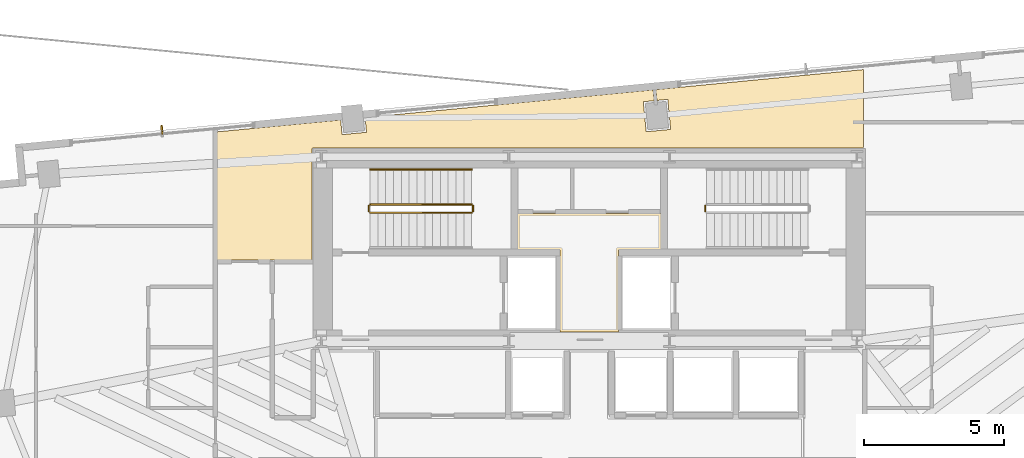
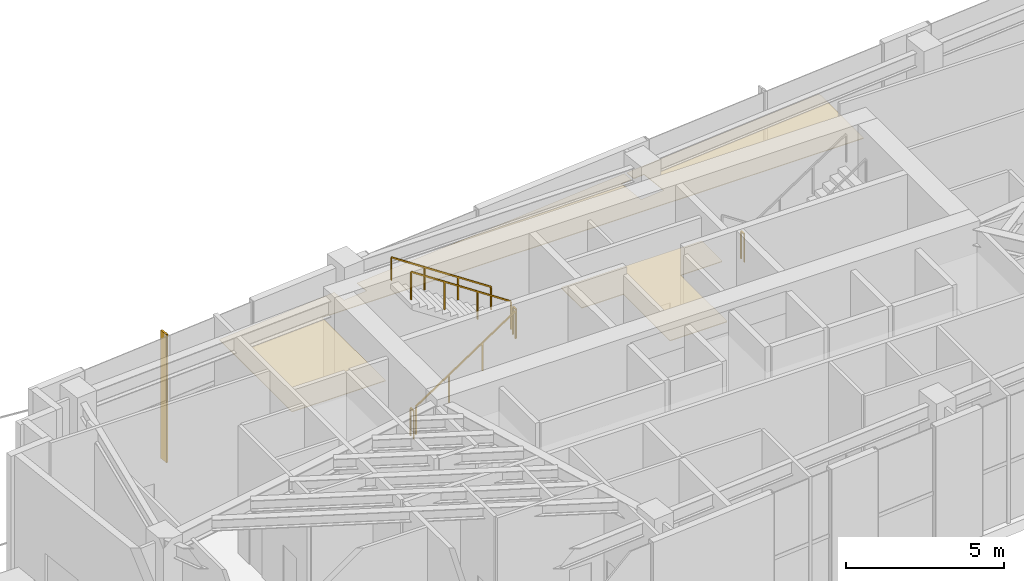
# One storey, part 19 of 21: 6 railings, 2 coverings, 1 shading device.
"""IFC4 building model written with IfcOpenShell, lengths in metres."""

from ifc_helpers import new_model, si_unit, direction, frame, origin, origin_2d, place, context, subcontext, project, spatial, polyline, rectangle, outline, extrude, source, transform, mapped, material, layer, layer_set, type_object, type_shapes, element, save


model = new_model("IFC4")

# Units and contexts
model_context = context("Model", 3, precision=1e-05, world=origin(), true_north=direction((0.0, 1.0)))
body_context = subcontext(model_context, "Body", "Model", "MODEL_VIEW")
ifc_project = project(units=[si_unit("LENGTHUNIT", "METRE"), si_unit("AREAUNIT", "SQUARE_METRE"), si_unit("VOLUMEUNIT", "CUBIC_METRE"), si_unit("PLANEANGLEUNIT", "RADIAN"), si_unit("MASSUNIT", "GRAM", prefix="KILO")], contexts=[model_context])

# Site, building, storey
site_placement = place(None, origin())
site = spatial("IfcSite", under=ifc_project, at=site_placement, CompositionType="ELEMENT")
building_placement = place(site_placement, origin())
building = spatial("IfcBuilding", under=site, at=building_placement, Name="Astriad Promenade Condominiums", CompositionType="ELEMENT")
storey_placement = place(building_placement, frame((0.0, 0.0, 167.800048828125)))
storey = spatial("IfcBuildingStorey", under=building, at=storey_placement, Name="L48", CompositionType="ELEMENT", Elevation=167.800048828125)

# Coverings
ifc_material_1 = material(Name="Mineral-Fibre Acoustic Ceiling Tile")
ifc_layer = layer(ifc_material_1, 0.02490234375)
ifc_layer_set = layer_set([ifc_layer], Name="Mineral-Fibre Acoustic Ceiling Tile")
covering_type = type_object("IfcCoveringType", Name="COV-CEIL-ACOUSTIC-25", PredefinedType="CEILING", material=ifc_layer_set)
covering_1_placement = place(storey_placement, frame((0.0, 0.0, 3.994873046875)))
element("IfcCovering", 1, at=covering_1_placement, inside=storey, type_object=covering_type, Name="CEIL-L48-CSL", PredefinedType="CEILING", context=body_context, shape_type="SweptSolid", body=[
    extrude(outline(polyline([(37.050048828125, 17.75), (37.0498046875, 17.7470703125), (37.04931640625, 17.744140625), (37.048583984375, 17.7412109375), (37.047607421875, 17.738525390625), (37.04638671875, 17.73583984375), (37.044921875, 17.7333984375), (37.043212890625, 17.73095703125), (37.041259765625, 17.728759765625), (37.0390625, 17.726806640625), (37.03662109375, 17.72509765625), (37.0341796875, 17.723388671875), (37.031494140625, 17.722412109375), (37.02880859375, 17.72119140625), (37.02587890625, 17.720703125), (37.02294921875, 17.72021484375), (37.02001953125, 17.719970703125), (34.97998046875, 17.719970703125), (34.97705078125, 17.72021484375), (34.97412109375, 17.720703125), (34.97119140625, 17.72119140625), (34.968505859375, 17.722412109375), (34.9658203125, 17.723388671875), (34.96337890625, 17.72509765625), (34.9609375, 17.726806640625), (34.958740234375, 17.728759765625), (34.956787109375, 17.73095703125), (34.955078125, 17.7333984375), (34.95361328125, 17.73583984375), (34.952392578125, 17.738525390625), (34.951416015625, 17.7412109375), (34.95068359375, 17.744140625), (34.9501953125, 17.7470703125), (34.949951171875, 17.75), (34.949951171875, 20.669921875), (33.4599609375, 20.669921875), (33.45703125, 20.670166015625), (33.4541015625, 20.670654296875), (33.451416015625, 20.67138671875), (33.448486328125, 20.67236328125), (33.44580078125, 20.673583984375), (33.443359375, 20.675048828125), (33.44091796875, 20.6767578125), (33.438720703125, 20.6787109375), (33.436767578125, 20.680908203125), (33.43505859375, 20.683349609375), (33.43359375, 20.685791015625), (33.432373046875, 20.6884765625), (33.431396484375, 20.69140625), (33.4306640625, 20.694091796875), (33.43017578125, 20.697021484375), (33.429931640625, 20.699951171875), (33.429931640625, 21.949951171875), (33.43017578125, 21.952880859375), (33.4306640625, 21.955810546875), (33.431396484375, 21.958740234375), (33.432373046875, 21.96142578125), (33.43359375, 21.964111328125), (33.43505859375, 21.966796875), (33.436767578125, 21.968994140625), (33.438720703125, 21.97119140625), (33.44091796875, 21.97314453125), (33.443359375, 21.974853515625), (33.44580078125, 21.9765625), (33.448486328125, 21.977783203125), (33.451416015625, 21.978759765625), (33.4541015625, 21.9794921875), (33.45703125, 21.97998046875), (33.4599609375, 21.97998046875), (38.5400390625, 21.97998046875), (38.54296875, 21.97998046875), (38.5458984375, 21.9794921875), (38.548583984375, 21.978759765625), (38.551513671875, 21.977783203125), (38.55419921875, 21.9765625), (38.556640625, 21.974853515625), (38.55908203125, 21.97314453125), (38.561279296875, 21.97119140625), (38.563232421875, 21.968994140625), (38.56494140625, 21.966796875), (38.56640625, 21.964111328125), (38.567626953125, 21.96142578125), (38.568603515625, 21.958740234375), (38.5693359375, 21.955810546875), (38.56982421875, 21.952880859375), (38.570068359375, 21.949951171875), (38.570068359375, 20.699951171875), (38.56982421875, 20.697021484375), (38.5693359375, 20.694091796875), (38.568603515625, 20.69140625), (38.567626953125, 20.6884765625), (38.56640625, 20.685791015625), (38.56494140625, 20.683349609375), (38.563232421875, 20.680908203125), (38.561279296875, 20.6787109375), (38.55908203125, 20.6767578125), (38.556640625, 20.675048828125), (38.55419921875, 20.673583984375), (38.551513671875, 20.67236328125), (38.548583984375, 20.67138671875), (38.5458984375, 20.670654296875), (38.54296875, 20.670166015625), (38.5400390625, 20.669921875), (37.050048828125, 20.669921875), (37.050048828125, 17.75)])), origin(), (0.0, 0.0, 1.0), 0.025146484375),
])
covering_2_placement = place(storey_placement, frame((0.0, 0.0, 3.994873046875)))
element("IfcCovering", 2, at=covering_2_placement, inside=storey, type_object=covering_type, Name="CEIL-L48-HKB", PredefinedType="CEILING", context=body_context, shape_type="SweptSolid", body=[
    extrude(outline(polyline([(38.329833984375, 26.015869140625), (37.941650390625, 25.978515625), (38.045166015625, 24.9033203125), (38.9208984375, 24.98779296875), (38.8173828125, 26.062744140625), (38.42919921875, 26.025390625), (38.391845703125, 26.41357421875), (45.830078125, 27.1298828125), (45.830078125, 24.35009765625), (45.829833984375, 24.34716796875), (45.829345703125, 24.343994140625), (45.82861328125, 24.34130859375), (45.82763671875, 24.33837890625), (45.826416015625, 24.3359375), (45.824951171875, 24.333251953125), (45.8232421875, 24.3310546875), (45.8212890625, 24.328857421875), (45.819091796875, 24.326904296875), (45.816650390625, 24.3251953125), (45.814208984375, 24.323486328125), (45.8115234375, 24.322265625), (45.80859375, 24.3212890625), (45.805908203125, 24.320556640625), (45.802978515625, 24.320068359375), (45.800048828125, 24.320068359375), (26.080078125, 24.320068359375), (26.079833984375, 24.317138671875), (26.079345703125, 24.314208984375), (26.07861328125, 24.311279296875), (26.07763671875, 24.30859375), (26.076416015625, 24.305908203125), (26.074951171875, 24.30322265625), (26.0732421875, 24.301025390625), (26.0712890625, 24.298828125), (26.070068359375, 24.297607421875), (26.070068359375, 20.330078125), (26.06982421875, 20.3271484375), (26.0693359375, 20.32421875), (26.068603515625, 20.3212890625), (26.067626953125, 20.318603515625), (26.06640625, 20.31591796875), (26.06494140625, 20.313232421875), (26.063232421875, 20.31103515625), (26.061279296875, 20.308837890625), (26.05908203125, 20.306884765625), (26.056640625, 20.30517578125), (26.05419921875, 20.303466796875), (26.051513671875, 20.30224609375), (26.048583984375, 20.30126953125), (26.0458984375, 20.300537109375), (26.04296875, 20.300048828125), (26.0400390625, 20.300048828125), (22.679931640625, 20.300048828125), (22.677001953125, 20.300048828125), (22.674072265625, 20.300537109375), (22.67138671875, 20.30126953125), (22.66845703125, 20.30224609375), (22.666015625, 20.303466796875), (22.663330078125, 20.30517578125), (22.660888671875, 20.306884765625), (22.65869140625, 20.308837890625), (22.65673828125, 20.31103515625), (22.655029296875, 20.313232421875), (22.653564453125, 20.31591796875), (22.65234375, 20.318603515625), (22.6513671875, 20.3212890625), (22.650634765625, 20.32421875), (22.650146484375, 20.3271484375), (22.64990234375, 20.330078125), (22.64990234375, 24.897705078125), (27.094970703125, 25.32568359375), (27.1455078125, 24.80029296875), (28.021484375, 24.884765625), (27.970703125, 25.41015625), (38.29248046875, 26.404052734375), (38.329833984375, 26.015869140625)])), origin(), (0.0, 0.0, 1.0), 0.025146484375),
])

# Shading device
ifc_material_2 = material(Name="Anodised aluminium 6063-T6 Black Fin", Category="aluminium")
shading_device_type = type_object("IfcShadingDeviceType", Name="FIN-BLACK-260", PredefinedType="USERDEFINED", material=ifc_material_2)
shared_shape_1 = source(origin(), body_context, "Body", "SweptSolid", [
    extrude(rectangle(XDim=0.06494140625, YDim=0.320068359375, at=origin_2d()), origin(), (0.0, 0.0, 1.0), 4.93994140625),
])
type_shapes(shading_device_type, [shared_shape_1])
shading_device_placement = place(storey_placement, frame((20.688720703125, 24.97021484375, 0.0), z_axis=(0.0, 0.0, 1.0), x_axis=(0.995396198367, 0.09584575252, 0.0)))
element("IfcShadingDevice", 3, at=shading_device_placement, inside=storey, type_object=shading_device_type, Name="CW-L48-N-1-FIN-01", ObjectType="FIN", PredefinedType="USERDEFINED", context=body_context, shape_type="MappedRepresentation", body=[
    mapped(shared_shape_1, transform((0.0, 0.0, 0.0), scale=1.0)),
])

# Railings
ifc_material_3 = material(Name="Painted Galvanised Steel Guardrail", Category="steel")
railing_type_1 = type_object("IfcRailingType", Name="GRD-STAIR-1100", PredefinedType="GUARDRAIL", material=ifc_material_3)
shared_shape_2 = source(origin(), body_context, "Body", "SweptSolid", [
    extrude(rectangle(XDim=0.048095703125, YDim=0.048095703125, at=origin_2d()), frame((0.0, 0.0, 1.076171875), z_axis=(0.0, 1.0, 0.0), x_axis=(-1.0, 0.0, 0.0)), (0.0, 0.0, 1.0), 0.199951171875),
    extrude(rectangle(XDim=0.0419921875, YDim=0.0419921875, at=origin_2d()), origin(), (0.0, 0.0, 1.0), 1.052001953125),
    extrude(rectangle(XDim=0.0419921875, YDim=0.0419921875, at=origin_2d()), frame((0.0, 0.199951171875, 0.0)), (0.0, 0.0, 1.0), 1.052001953125),
])
for number, where, name in (
    (4, (31.840087890625, 22.050048828125, 2.599853515625), "L48 ST-1 stair guard 2"),
    (5, (28.10009765625, 22.050048828125, 0.0), "L48 ST-1 stair guard 4"),
):
    element("IfcRailing", number, at=place(storey_placement, frame(where)), inside=storey, type_object=railing_type_1, Name=name, PredefinedType="GUARDRAIL", context=body_context, shape_type="MappedRepresentation", body=[
        mapped(shared_shape_2, transform((0.0, 0.0, 0.0), scale=1.0)),
    ])
shared_shape_3 = source(origin(), body_context, "Body", "SweptSolid", [
    extrude(rectangle(XDim=0.048095703125, YDim=0.048095703125, at=origin_2d()), frame((0.0, 0.0, 1.076171875), z_axis=(0.833363587613, 0.0, 0.552725185641), x_axis=(0.0, 1.0, 0.0)), (0.0, 0.0, 1.0), 4.367919921875),
    extrude(rectangle(XDim=0.0419921875, YDim=0.0419921875, at=origin_2d()), origin(), (0.0, 0.0, 1.0), 1.052001953125),
    extrude(rectangle(XDim=0.0419921875, YDim=0.0419921875, at=origin_2d()), frame((1.21337890625, 0.0, 0.8046875)), (0.0, 0.0, 1.0), 1.052001953125),
    extrude(rectangle(XDim=0.0419921875, YDim=0.0419921875, at=origin_2d()), frame((2.4267578125, 0.0, 1.609619140625)), (0.0, 0.0, 1.0), 1.052001953125),
    extrude(rectangle(XDim=0.0419921875, YDim=0.0419921875, at=origin_2d()), frame((3.64013671875, 0.0, 2.414306640625)), (0.0, 0.0, 1.0), 1.052001953125),
])
railing_1_placement = place(storey_placement, frame((28.14990234375, 22.0, 0.185546875)))
element("IfcRailing", 6, at=railing_1_placement, inside=storey, type_object=railing_type_1, Name="L48 ST-1 stair guard 1", PredefinedType="GUARDRAIL", context=body_context, shape_type="MappedRepresentation", body=[
    mapped(shared_shape_3, transform((0.0, 0.0, 0.0), scale=1.0)),
])
shared_shape_4 = source(origin(), body_context, "Body", "SweptSolid", [
    extrude(rectangle(XDim=0.048095703125, YDim=0.048095703125, at=origin_2d()), frame((0.0, 0.0, 1.076171875), z_axis=(-0.833363587613, 0.0, 0.552725185641), x_axis=(0.0, -1.0, 0.0)), (0.0, 0.0, 1.0), 4.367919921875),
    extrude(rectangle(XDim=0.0419921875, YDim=0.0419921875, at=origin_2d()), origin(), (0.0, 0.0, 1.0), 1.052001953125),
    extrude(rectangle(XDim=0.0419921875, YDim=0.0419921875, at=origin_2d()), frame((-1.21337890625, 0.0, 0.8046875)), (0.0, 0.0, 1.0), 1.052001953125),
    extrude(rectangle(XDim=0.0419921875, YDim=0.0419921875, at=origin_2d()), frame((-2.4267578125, 0.0, 1.609619140625)), (0.0, 0.0, 1.0), 1.052001953125),
    extrude(rectangle(XDim=0.0419921875, YDim=0.0419921875, at=origin_2d()), frame((-3.64013671875, 0.0, 2.414306640625)), (0.0, 0.0, 1.0), 1.052001953125),
])
railing_2_placement = place(storey_placement, frame((31.7900390625, 22.300048828125, 2.78564453125)))
element("IfcRailing", 7, at=railing_2_placement, inside=storey, type_object=railing_type_1, Name="L48 ST-1 stair guard 3", PredefinedType="GUARDRAIL", context=body_context, shape_type="MappedRepresentation", body=[
    mapped(shared_shape_4, transform((0.0, 0.0, 0.0), scale=1.0)),
])
ifc_material_4 = material(Name="Brushed Stainless Steel Handrail", Category="steel")
railing_type_2 = type_object("IfcRailingType", Name="HRL-STAIR-920", PredefinedType="HANDRAIL", material=ifc_material_4)
shared_shape_5 = source(origin(), body_context, "Body", "SweptSolid", [
    extrude(rectangle(XDim=0.048095703125, YDim=0.048095703125, at=origin_2d()), frame((0.0, 0.0, 0.8759765625), z_axis=(-0.833363587613, 0.0, 0.552725185641), x_axis=(0.0, -1.0, 0.0)), (0.0, 0.0, 1.0), 4.367919921875),
    extrude(rectangle(XDim=0.0419921875, YDim=0.0419921875, at=origin_2d()), origin(), (0.0, 0.0, 1.0), 0.851806640625),
    extrude(rectangle(XDim=0.0419921875, YDim=0.0419921875, at=origin_2d()), frame((-1.21337890625, 0.0, 0.8046875)), (0.0, 0.0, 1.0), 0.851806640625),
    extrude(rectangle(XDim=0.0419921875, YDim=0.0419921875, at=origin_2d()), frame((-2.4267578125, 0.0, 1.609619140625)), (0.0, 0.0, 1.0), 0.851806640625),
    extrude(rectangle(XDim=0.0419921875, YDim=0.0419921875, at=origin_2d()), frame((-3.64013671875, 0.0, 2.414306640625)), (0.0, 0.0, 1.0), 0.851806640625),
])
type_shapes(railing_type_2, [shared_shape_5])
railing_3_placement = place(storey_placement, frame((31.7900390625, 23.550048828125, 2.78564453125)))
element("IfcRailing", 8, at=railing_3_placement, inside=storey, type_object=railing_type_2, Name="L48 ST-1 stair handrail 2", PredefinedType="HANDRAIL", context=body_context, shape_type="MappedRepresentation", body=[
    mapped(shared_shape_5, transform((0.0, 0.0, 0.0), scale=1.0)),
])
shared_shape_6 = source(origin(), body_context, "Body", "SweptSolid", [
    extrude(rectangle(XDim=0.048095703125, YDim=0.048095703125, at=origin_2d()), frame((0.0, 0.0, 1.076171875), z_axis=(0.0, -1.0, 0.0), x_axis=(1.0, 0.0, 0.0)), (0.0, 0.0, 1.0), 0.199951171875),
    extrude(rectangle(XDim=0.0419921875, YDim=0.0419921875, at=origin_2d()), origin(), (0.0, 0.0, 1.0), 1.052001953125),
    extrude(rectangle(XDim=0.0419921875, YDim=0.0419921875, at=origin_2d()), frame((0.0, -0.199951171875, 0.0)), (0.0, 0.0, 1.0), 1.052001953125),
])
type_shapes(railing_type_1, [shared_shape_2, shared_shape_3, shared_shape_4, shared_shape_6])
railing_4_placement = place(storey_placement, frame((40.159912109375, 22.25, 2.599853515625)))
element("IfcRailing", 9, at=railing_4_placement, inside=storey, type_object=railing_type_1, Name="L48 ST-2 stair guard 2", PredefinedType="GUARDRAIL", context=body_context, shape_type="MappedRepresentation", body=[
    mapped(shared_shape_6, transform((0.0, 0.0, 0.0), scale=1.0)),
])

save(model, "model.ifc")
